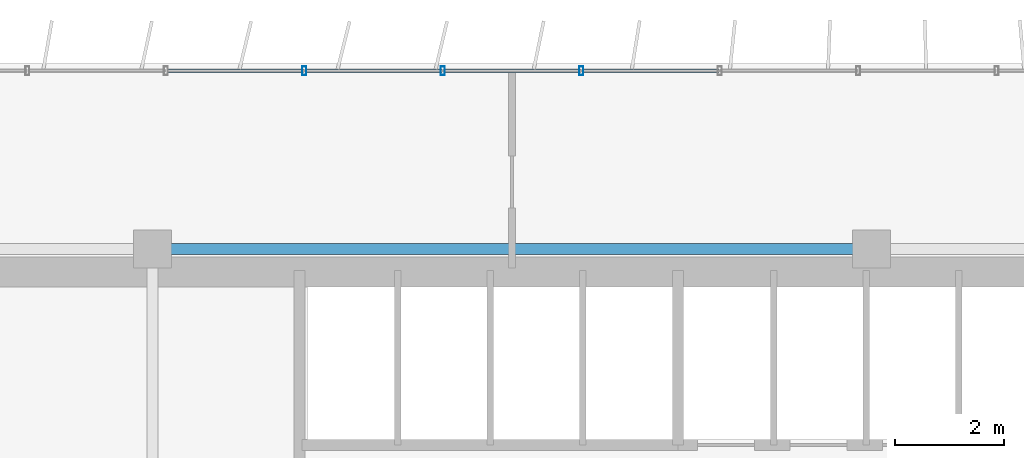
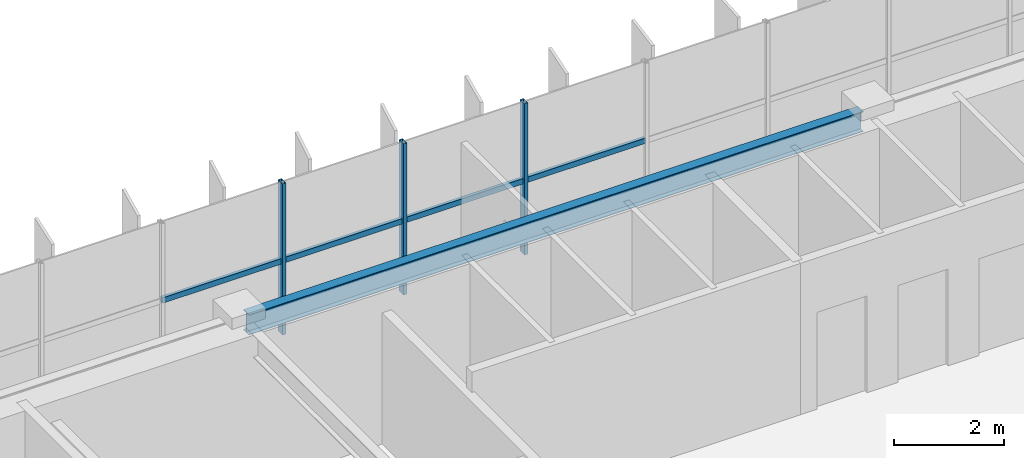
# One storey, part 9 of 23: 7 members, 1 beam, 1 element without a shape of its own.
"""IFC4 building model written with IfcOpenShell, lengths in metres."""

from ifc_helpers import new_model, si_unit, direction, frame, origin, origin_2d, place, context, subcontext, project, spatial, hollow_rectangle, i_section, extrude, source, transform, mapped, material, material_profile, profile_set, type_object, element, aggregate, save


model = new_model("IFC4")

# Units and contexts
model_context = context("Model", 3, precision=1e-05, world=origin(), true_north=direction((0.0, 1.0)))
body_context = subcontext(model_context, "Body", "Model", "MODEL_VIEW")
ifc_project = project(units=[si_unit("LENGTHUNIT", "METRE"), si_unit("AREAUNIT", "SQUARE_METRE"), si_unit("VOLUMEUNIT", "CUBIC_METRE"), si_unit("PLANEANGLEUNIT", "RADIAN"), si_unit("MASSUNIT", "GRAM", prefix="KILO")], contexts=[model_context])

# Site, building, storey
site_placement = place(None, origin())
site = spatial("IfcSite", under=ifc_project, at=site_placement, CompositionType="ELEMENT")
building_placement = place(site_placement, origin())
building = spatial("IfcBuilding", under=site, at=building_placement, Name="Trelvane Seafront Commons", CompositionType="ELEMENT")
storey_placement = place(building_placement, frame((0.0, 0.0, 219.300048828125)))
storey = spatial("IfcBuildingStorey", under=building, at=storey_placement, Name="L57", CompositionType="ELEMENT", Elevation=219.300048828125)

# Beam
ifc_material_1 = material(Name="Steel SM355 (S355)", Category="steel")
ifc_material_profile_1 = material_profile(ifc_material_1, i_section(OverallWidth=0.199951171875, OverallDepth=0.449951171875, WebThickness=0.009033203125, FlangeThickness=0.013916015625, at=origin_2d()), Name="H-450x200x9x14")
ifc_profile_set_1 = profile_set([ifc_material_profile_1], Name="Steel SM355 (S355)")
beam_type = type_object("IfcBeamType", Name="STR-SPD-H450", PredefinedType="SPANDREL", material=ifc_profile_set_1)
shared_shape_1 = source(origin(), body_context, "Body", "SweptSolid", [
    extrude(i_section(OverallWidth=0.199951171875, OverallDepth=0.449951171875, WebThickness=0.009033203125, FlangeThickness=0.013916015625, at=origin_2d()), origin(), (0.0, 0.0, 1.0), 12.89990234375),
])
beam_placement = place(storey_placement, frame((30.75, 45.10009765625, 3.135009765625), z_axis=(1.0, 0.0, 0.0), x_axis=(0.0, 1.0, 0.0)))
element("IfcBeam", 1, at=beam_placement, inside=storey, type_object=beam_type, Name="L57 Primary Girder G-25", PredefinedType="SPANDREL", context=body_context, shape_type="MappedRepresentation", body=[
    mapped(shared_shape_1, transform((0.0, 0.0, 0.0), x_axis=(1.0, 0.0, 0.0), y_axis=(0.0, 1.0, 0.0), z_axis=(0.0, 0.0, 1.0), scale=1.0)),
])

# Curtain wall, members
ifc_material_2 = material(Name="Anodised pale-silver aluminium", Category="aluminium")
curtain_wall_type = type_object("IfcCurtainWallType", Name="ARCH-CW5-UPTOWER", PredefinedType="NOTDEFINED", material=ifc_material_2)
curtain_wall_placement = place(storey_placement, origin())
curtain_wall = element("IfcCurtainWall", 2, at=curtain_wall_placement, inside=storey, type_object=curtain_wall_type, Name="CW-L57-0100", PredefinedType="NOTDEFINED")
ifc_material_profile_2 = material_profile(ifc_material_2, hollow_rectangle(XDim=0.070068359375, YDim=0.1201171875, WallThickness=0.00390625, at=origin_2d()), Name="TRAN-70x120x4")
ifc_profile_set_2 = profile_set([ifc_material_profile_2], Name="Anodised pale-silver aluminium")
member_type_1 = type_object("IfcMemberType", Name="ARCH-CW-TRAN-120", PredefinedType="USERDEFINED", material=ifc_profile_set_2)
shared_shape_2 = source(origin(), body_context, "Body", "SweptSolid", [
    extrude(hollow_rectangle(XDim=0.070068359375, YDim=0.1201171875, WallThickness=0.00390625, at=origin_2d()), origin(), (0.0, 0.0, 1.0), 2.51708984375),
])
member_1_placement = place(storey_placement, frame((30.859130859375, 48.3701171875, 1.613037109375), z_axis=(1.0, 0.0, 0.0), x_axis=(0.0, 1.0, 0.0)))
member_1 = element("IfcMember", 3, at=member_1_placement, type_object=member_type_1, Name="CW-L57-0100-T06", ObjectType="TRANSOM", PredefinedType="USERDEFINED", context=body_context, shape_type="MappedRepresentation", body=[
    mapped(shared_shape_2, transform((0.0, 0.0, 0.0), x_axis=(1.0, 0.0, 0.0), y_axis=(0.0, 1.0, 0.0), z_axis=(0.0, 0.0, 1.0), scale=1.0)),
])
member_2_placement = place(storey_placement, frame((35.94140625, 48.3701171875, 1.613037109375), z_axis=(1.0, 0.0, 0.0), x_axis=(0.0, 1.0, 0.0)))
member_2 = element("IfcMember", 4, at=member_2_placement, type_object=member_type_1, Name="CW-L57-0100-T08", ObjectType="TRANSOM", PredefinedType="USERDEFINED", context=body_context, shape_type="MappedRepresentation", body=[
    mapped(shared_shape_2, transform((0.0, 0.0, 0.0), x_axis=(1.0, 0.0, 0.0), y_axis=(0.0, 1.0, 0.0), z_axis=(0.0, 0.0, 1.0), scale=1.0)),
])
member_3_placement = place(storey_placement, frame((38.482666015625, 48.3701171875, 1.613037109375), z_axis=(1.0, 0.0, 0.0), x_axis=(0.0, 1.0, 0.0)))
member_3 = element("IfcMember", 5, at=member_3_placement, type_object=member_type_1, Name="CW-L57-0100-T09", ObjectType="TRANSOM", PredefinedType="USERDEFINED", context=body_context, shape_type="MappedRepresentation", body=[
    mapped(shared_shape_2, transform((0.0, 0.0, 0.0), x_axis=(1.0, 0.0, 0.0), y_axis=(0.0, 1.0, 0.0), z_axis=(0.0, 0.0, 1.0), scale=1.0)),
])
shared_shape_3 = source(origin(), body_context, "Body", "SweptSolid", [
    extrude(hollow_rectangle(XDim=0.070068359375, YDim=0.1201171875, WallThickness=0.00390625, at=origin_2d()), origin(), (0.0, 0.0, 1.0), 2.517333984375),
])
member_4_placement = place(storey_placement, frame((33.400146484375, 48.3701171875, 1.613037109375), z_axis=(1.0, 0.0, 0.0), x_axis=(0.0, 1.0, 0.0)))
member_4 = element("IfcMember", 6, at=member_4_placement, type_object=member_type_1, Name="CW-L57-0100-T07", ObjectType="TRANSOM", PredefinedType="USERDEFINED", context=body_context, shape_type="MappedRepresentation", body=[
    mapped(shared_shape_3, transform((0.0, 0.0, 0.0), x_axis=(1.0, 0.0, 0.0), y_axis=(0.0, 1.0, 0.0), z_axis=(0.0, 0.0, 1.0), scale=1.0)),
])
ifc_material_profile_3 = material_profile(ifc_material_2, hollow_rectangle(XDim=0.074951171875, YDim=0.159912109375, WallThickness=0.00390625, at=origin_2d()), Name="MULL-75x160x4")
ifc_profile_set_3 = profile_set([ifc_material_profile_3], Name="Anodised pale-silver aluminium")
member_type_2 = type_object("IfcMemberType", Name="ARCH-CW-MULL-160", PredefinedType="MULLION", material=ifc_profile_set_3)
shared_shape_4 = source(origin(), body_context, "Body", "SweptSolid", [
    extrude(hollow_rectangle(XDim=0.074951171875, YDim=0.159912109375, WallThickness=0.00390625, at=origin_2d()), origin(), (0.0, 0.0, 1.0), 3.35986328125),
])
member_5_placement = place(storey_placement, frame((33.38818359375, 48.3701171875, 0.0), z_axis=(0.0, 0.0, 1.0), x_axis=(1.0, 0.0, 0.0)))
member_5 = element("IfcMember", 7, at=member_5_placement, type_object=member_type_2, Name="CW-L57-0100-M07", PredefinedType="MULLION", context=body_context, shape_type="MappedRepresentation", body=[
    mapped(shared_shape_4, transform((0.0, 0.0, 0.0), x_axis=(1.0, 0.0, 0.0), y_axis=(0.0, 1.0, 0.0), z_axis=(0.0, 0.0, 1.0), scale=1.0)),
])
member_6_placement = place(storey_placement, frame((35.929443359375, 48.3701171875, 0.0), z_axis=(0.0, 0.0, 1.0), x_axis=(1.0, 0.0, 0.0)))
member_6 = element("IfcMember", 8, at=member_6_placement, type_object=member_type_2, Name="CW-L57-0100-M08", PredefinedType="MULLION", context=body_context, shape_type="MappedRepresentation", body=[
    mapped(shared_shape_4, transform((0.0, 0.0, 0.0), x_axis=(1.0, 0.0, 0.0), y_axis=(0.0, 1.0, 0.0), z_axis=(0.0, 0.0, 1.0), scale=1.0)),
])
member_7_placement = place(storey_placement, frame((38.470703125, 48.3701171875, 0.0), z_axis=(0.0, 0.0, 1.0), x_axis=(1.0, 0.0, 0.0)))
member_7 = element("IfcMember", 9, at=member_7_placement, type_object=member_type_2, Name="CW-L57-0100-M09", PredefinedType="MULLION", context=body_context, shape_type="MappedRepresentation", body=[
    mapped(shared_shape_4, transform((0.0, 0.0, 0.0), x_axis=(1.0, 0.0, 0.0), y_axis=(0.0, 1.0, 0.0), z_axis=(0.0, 0.0, 1.0), scale=1.0)),
])
aggregate(curtain_wall, [member_5, member_6, member_7, member_1, member_4, member_2, member_3])

save(model, "model.ifc")
